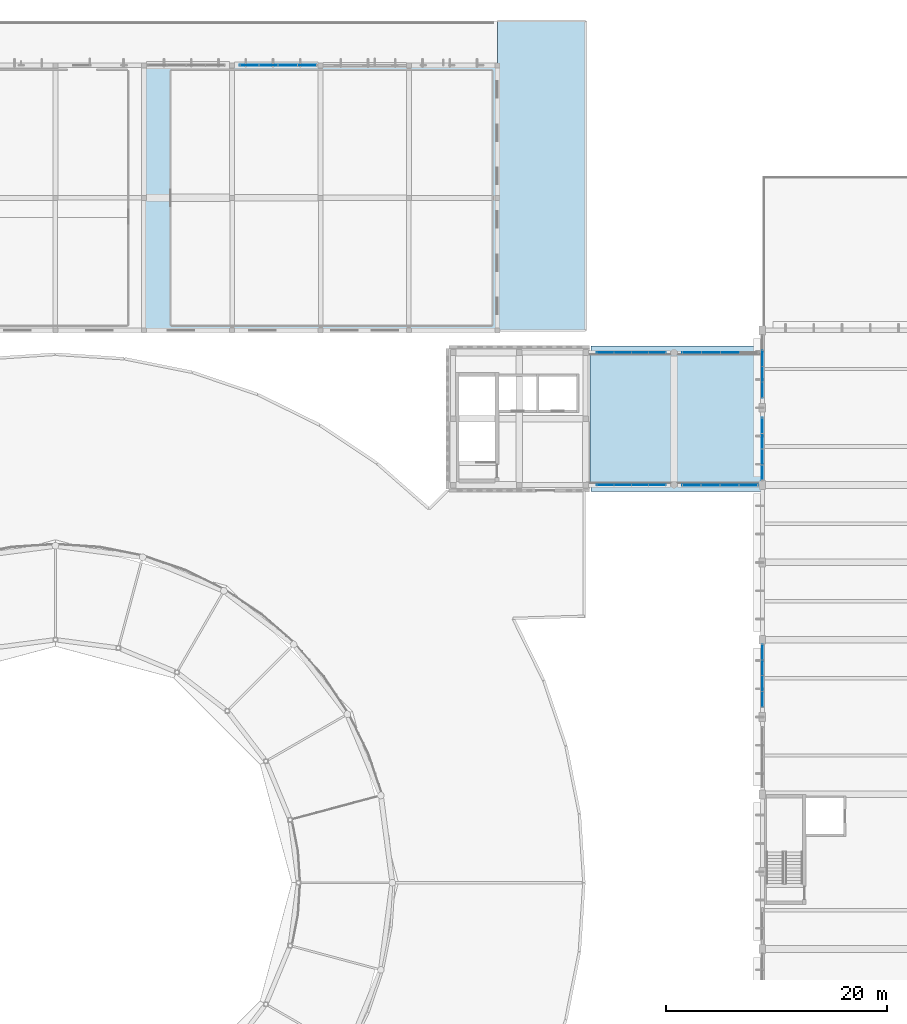
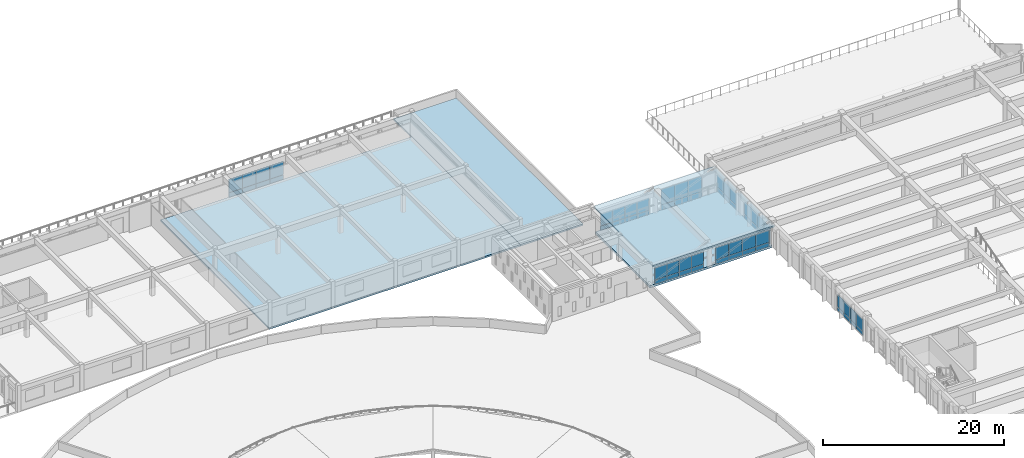
# One storey, part 48 of 77: 60 plates, 4 slabs, 8 elements without a shape of their own.
"""IFC4 building model written with IfcOpenShell, lengths in metres."""

from ifc_helpers import new_model, si_unit, direction, frame, origin, origin_2d, place, context, subcontext, project, spatial, polyline, rectangle, outline, extrude, material, layer, layer_set, type_object, element, aggregate, save


model = new_model("IFC4")

# Units and contexts
model_context = context("Model", 3, precision=1e-05, world=origin(), true_north=direction((0.0, 1.0)))
body_context = subcontext(model_context, "Body", "Model", "MODEL_VIEW")
ifc_project = project(units=[si_unit("LENGTHUNIT", "METRE"), si_unit("AREAUNIT", "SQUARE_METRE"), si_unit("VOLUMEUNIT", "CUBIC_METRE"), si_unit("PLANEANGLEUNIT", "RADIAN"), si_unit("MASSUNIT", "GRAM", prefix="KILO")], contexts=[model_context])

# Site, building, storey
site_placement = place(None, origin())
site = spatial("IfcSite", under=ifc_project, at=site_placement, CompositionType="ELEMENT")
building_placement = place(site_placement, origin())
building = spatial("IfcBuilding", under=site, at=building_placement, Name="Larkveld Mobility Hub", CompositionType="ELEMENT")
storey_placement = place(building_placement, frame((0.0, 0.0, 12.0)))
storey = spatial("IfcBuildingStorey", under=building, at=storey_placement, Name="L03", CompositionType="ELEMENT", Elevation=12.0)

# Curtain wall, plates
ifc_material_1 = material(Name="Anodised aluminium 6063-T6", Category="aluminium")
curtain_wall_type_1 = type_object("IfcCurtainWallType", Name="CW-SYS-07", PredefinedType="NOTDEFINED", material=ifc_material_1)
curtain_wall_1_placement = place(storey_placement, origin())
curtain_wall_1 = element("IfcCurtainWall", 1, at=curtain_wall_1_placement, inside=storey, type_object=curtain_wall_type_1, Name="Concourse Footbridge L03 North Glazing CW-007", PredefinedType="NOTDEFINED")
ifc_material_2 = material(Name="Low-E laminated solar-control double glazing", Category="glass")
ifc_layer_1 = layer(ifc_material_2, 0.028076171875, Name="Low-E laminated solar-control double glazing", Category="glass")
ifc_layer_set_1 = layer_set([ifc_layer_1], Name="Low-E laminated solar-control double glazing")
plate_type_1 = type_object("IfcPlateType", Name="CW-PNL-GL01", PredefinedType="CURTAIN_PANEL", material=ifc_layer_set_1)
plate_1_placement = place(storey_placement, frame((109.05810546875, 96.0, 0.7041015625), z_axis=(0.0, 0.0, 1.0), x_axis=(-1.0, 0.0, 0.0)))
plate_1 = element("IfcPlate", 2, at=plate_1_placement, type_object=plate_type_1, Name="CW07 panel 2", PredefinedType="CURTAIN_PANEL", context=body_context, shape_type="SweptSolid", body=[
    extrude(rectangle(XDim=1.718017578125, YDim=0.028076171875, at=origin_2d()), origin(), (0.0, 0.0, 1.0), 2.083984375),
])
plate_2_placement = place(storey_placement, frame((107.33203125, 96.0, 0.7041015625), z_axis=(0.0, 0.0, 1.0), x_axis=(-1.0, 0.0, 0.0)))
plate_2 = element("IfcPlate", 3, at=plate_2_placement, type_object=plate_type_1, Name="CW07 panel 3", PredefinedType="CURTAIN_PANEL", context=body_context, shape_type="SweptSolid", body=[
    extrude(rectangle(XDim=1.718017578125, YDim=0.028076171875, at=origin_2d()), origin(), (0.0, 0.0, 1.0), 2.083984375),
])
plate_3_placement = place(storey_placement, frame((105.614013671875, 96.0, 0.7041015625), z_axis=(0.0, 0.0, 1.0), x_axis=(-1.0, 0.0, 0.0)))
plate_3 = element("IfcPlate", 4, at=plate_3_placement, type_object=plate_type_1, Name="CW07 panel 4", PredefinedType="CURTAIN_PANEL", context=body_context, shape_type="SweptSolid", body=[
    extrude(rectangle(XDim=1.697998046875, YDim=0.028076171875, at=origin_2d()), origin(), (0.0, 0.0, 1.0), 2.083984375),
])

curtain_wall_type_2 = type_object("IfcCurtainWallType", Name="CW-SYS-01", PredefinedType="NOTDEFINED", material=ifc_material_1)
curtain_wall_2_placement = place(storey_placement, origin())
curtain_wall_2 = element("IfcCurtainWall", 5, at=curtain_wall_2_placement, inside=storey, type_object=curtain_wall_type_2, Name="EV Wing West Glazing L03 CW-145", PredefinedType="NOTDEFINED")
plate_4_placement = place(storey_placement, frame((112.0, 95.45703125, 0.552001953125), z_axis=(0.0, 0.0, 1.0), x_axis=(0.0, -1.0, 0.0)))
plate_4 = element("IfcPlate", 6, at=plate_4_placement, type_object=plate_type_1, Name="CW01 panel 2", PredefinedType="CURTAIN_PANEL", context=body_context, shape_type="SweptSolid", body=[
    extrude(rectangle(XDim=1.4130859375, YDim=0.028076171875, at=origin_2d()), origin(), (0.0, 0.0, 1.0), 1.6259765625),
])
plate_5_placement = place(storey_placement, frame((112.0, 94.033935546875, 0.552001953125), z_axis=(0.0, 0.0, 1.0), x_axis=(0.0, -1.0, 0.0)))
plate_5 = element("IfcPlate", 7, at=plate_5_placement, type_object=plate_type_1, Name="CW01 panel 3", PredefinedType="CURTAIN_PANEL", context=body_context, shape_type="SweptSolid", body=[
    extrude(rectangle(XDim=1.4130859375, YDim=0.028076171875, at=origin_2d()), origin(), (0.0, 0.0, 1.0), 1.6259765625),
])
plate_6_placement = place(storey_placement, frame((112.0, 92.62109375, 0.552001953125), z_axis=(0.0, 0.0, 1.0), x_axis=(0.0, -1.0, 0.0)))
plate_6 = element("IfcPlate", 8, at=plate_6_placement, type_object=plate_type_1, Name="CW01 panel 4", PredefinedType="CURTAIN_PANEL", context=body_context, shape_type="SweptSolid", body=[
    extrude(rectangle(XDim=1.39306640625, YDim=0.028076171875, at=origin_2d()), origin(), (0.0, 0.0, 1.0), 1.6259765625),
])

curtain_wall_type_3 = type_object("IfcCurtainWallType", Name="CW-SYS-05", PredefinedType="NOTDEFINED", material=ifc_material_1)
curtain_wall_3_placement = place(storey_placement, origin())
curtain_wall_3 = element("IfcCurtainWall", 9, at=curtain_wall_3_placement, inside=storey, type_object=curtain_wall_type_3, Name="Concourse Footbridge L03 South Glazing CW-005", PredefinedType="NOTDEFINED")
ifc_material_3 = material(Name="Acoustic solar-control laminated double glazing", Category="glass")
ifc_layer_2 = layer(ifc_material_3, 0.031982421875, Name="Acoustic solar-control laminated double glazing", Category="glass")
ifc_layer_set_2 = layer_set([ifc_layer_2], Name="Acoustic solar-control laminated double glazing")
plate_type_2 = type_object("IfcPlateType", Name="CW-PNL-GL02", PredefinedType="CURTAIN_PANEL", material=ifc_layer_set_2)
plate_7_placement = place(storey_placement, frame((97.7919921875, 84.0, 0.56103515625), z_axis=(0.0, 0.0, 1.0), x_axis=(1.0, 0.0, 0.0)))
plate_7 = element("IfcPlate", 10, at=plate_7_placement, type_object=plate_type_2, Name="CW05 panel 1", PredefinedType="CURTAIN_PANEL", context=body_context, shape_type="SweptSolid", body=[
    extrude(rectangle(XDim=1.534912109375, YDim=0.031982421875, at=origin_2d()), origin(), (0.0, 0.0, 1.0), 1.652099609375),
])
plate_8_placement = place(storey_placement, frame((99.346923828125, 84.0, 0.56103515625), z_axis=(0.0, 0.0, 1.0), x_axis=(1.0, 0.0, 0.0)))
plate_8 = element("IfcPlate", 11, at=plate_8_placement, type_object=plate_type_2, Name="CW05 panel 2", PredefinedType="CURTAIN_PANEL", context=body_context, shape_type="SweptSolid", body=[
    extrude(rectangle(XDim=1.554931640625, YDim=0.031982421875, at=origin_2d()), origin(), (0.0, 0.0, 1.0), 1.652099609375),
])
plate_9_placement = place(storey_placement, frame((100.912109375, 84.0, 0.56103515625), z_axis=(0.0, 0.0, 1.0), x_axis=(1.0, 0.0, 0.0)))
plate_9 = element("IfcPlate", 12, at=plate_9_placement, type_object=plate_type_2, Name="CW05 panel 3", PredefinedType="CURTAIN_PANEL", context=body_context, shape_type="SweptSolid", body=[
    extrude(rectangle(XDim=1.554931640625, YDim=0.031982421875, at=origin_2d()), origin(), (0.0, 0.0, 1.0), 1.652099609375),
])
plate_10_placement = place(storey_placement, frame((102.468017578125, 84.0, 0.56103515625), z_axis=(0.0, 0.0, 1.0), x_axis=(1.0, 0.0, 0.0)))
plate_10 = element("IfcPlate", 13, at=plate_10_placement, type_object=plate_type_2, Name="CW05 panel 4", PredefinedType="CURTAIN_PANEL", context=body_context, shape_type="SweptSolid", body=[
    extrude(rectangle(XDim=1.534912109375, YDim=0.031982421875, at=origin_2d()), origin(), (0.0, 0.0, 1.0), 1.652099609375),
])

curtain_wall_type_4 = type_object("IfcCurtainWallType", Name="CW-SYS-08", PredefinedType="NOTDEFINED", material=ifc_material_1)
curtain_wall_4_placement = place(storey_placement, origin())
curtain_wall_4 = element("IfcCurtainWall", 14, at=curtain_wall_4_placement, inside=storey, type_object=curtain_wall_type_4, Name="Concourse Footbridge L03 North Glazing CW-008", PredefinedType="NOTDEFINED")
plate_11_placement = place(storey_placement, frame((102.468017578125, 96.0, 0.56103515625), z_axis=(0.0, 0.0, 1.0), x_axis=(-1.0, 0.0, 0.0)))
plate_11 = element("IfcPlate", 15, at=plate_11_placement, type_object=plate_type_2, Name="CW08 panel 1", PredefinedType="CURTAIN_PANEL", context=body_context, shape_type="SweptSolid", body=[
    extrude(rectangle(XDim=1.534912109375, YDim=0.031982421875, at=origin_2d()), origin(), (0.0, 0.0, 1.0), 1.652099609375),
])
plate_12_placement = place(storey_placement, frame((100.912109375, 96.0, 0.56103515625), z_axis=(0.0, 0.0, 1.0), x_axis=(-1.0, 0.0, 0.0)))
plate_12 = element("IfcPlate", 16, at=plate_12_placement, type_object=plate_type_2, Name="CW08 panel 2", PredefinedType="CURTAIN_PANEL", context=body_context, shape_type="SweptSolid", body=[
    extrude(rectangle(XDim=1.554931640625, YDim=0.031982421875, at=origin_2d()), origin(), (0.0, 0.0, 1.0), 1.652099609375),
])
plate_13_placement = place(storey_placement, frame((99.346923828125, 96.0, 0.56103515625), z_axis=(0.0, 0.0, 1.0), x_axis=(-1.0, 0.0, 0.0)))
plate_13 = element("IfcPlate", 17, at=plate_13_placement, type_object=plate_type_2, Name="CW08 panel 3", PredefinedType="CURTAIN_PANEL", context=body_context, shape_type="SweptSolid", body=[
    extrude(rectangle(XDim=1.554931640625, YDim=0.031982421875, at=origin_2d()), origin(), (0.0, 0.0, 1.0), 1.652099609375),
])
plate_14_placement = place(storey_placement, frame((97.7919921875, 96.0, 0.56103515625), z_axis=(0.0, 0.0, 1.0), x_axis=(-1.0, 0.0, 0.0)))
plate_14 = element("IfcPlate", 18, at=plate_14_placement, type_object=plate_type_2, Name="CW08 panel 4", PredefinedType="CURTAIN_PANEL", context=body_context, shape_type="SweptSolid", body=[
    extrude(rectangle(XDim=1.534912109375, YDim=0.031982421875, at=origin_2d()), origin(), (0.0, 0.0, 1.0), 1.652099609375),
])

curtain_wall_5_placement = place(storey_placement, origin())
curtain_wall_5 = element("IfcCurtainWall", 19, at=curtain_wall_5_placement, inside=storey, type_object=curtain_wall_type_3, Name="Bicycle Hall North Curtain Wall L03 CW-089", PredefinedType="NOTDEFINED")
plate_15_placement = place(storey_placement, frame((70.76708984375, 122.0, 0.614013671875), z_axis=(0.0, 0.0, 1.0), x_axis=(-1.0, 0.0, 0.0)))
plate_15 = element("IfcPlate", 20, at=plate_15_placement, type_object=plate_type_2, Name="CW05 panel 1", PredefinedType="CURTAIN_PANEL", context=body_context, shape_type="SweptSolid", body=[
    extrude(rectangle(XDim=1.716064453125, YDim=0.031982421875, at=origin_2d()), origin(), (0.0, 0.0, 1.0), 1.81396484375),
])
plate_16_placement = place(storey_placement, frame((69.030029296875, 122.0, 0.614013671875), z_axis=(0.0, 0.0, 1.0), x_axis=(-1.0, 0.0, 0.0)))
plate_16 = element("IfcPlate", 21, at=plate_16_placement, type_object=plate_type_2, Name="CW05 panel 2", PredefinedType="CURTAIN_PANEL", context=body_context, shape_type="SweptSolid", body=[
    extrude(rectangle(XDim=1.736083984375, YDim=0.031982421875, at=origin_2d()), origin(), (0.0, 0.0, 1.0), 1.81396484375),
])
plate_17_placement = place(storey_placement, frame((67.283935546875, 122.0, 0.614013671875), z_axis=(0.0, 0.0, 1.0), x_axis=(-1.0, 0.0, 0.0)))
plate_17 = element("IfcPlate", 22, at=plate_17_placement, type_object=plate_type_2, Name="CW05 panel 3", PredefinedType="CURTAIN_PANEL", context=body_context, shape_type="SweptSolid", body=[
    extrude(rectangle(XDim=1.736083984375, YDim=0.031982421875, at=origin_2d()), origin(), (0.0, 0.0, 1.0), 1.81396484375),
])
plate_18_placement = place(storey_placement, frame((65.548095703125, 122.0, 0.614013671875), z_axis=(0.0, 0.0, 1.0), x_axis=(-1.0, 0.0, 0.0)))
plate_18 = element("IfcPlate", 23, at=plate_18_placement, type_object=plate_type_2, Name="CW05 panel 4", PredefinedType="CURTAIN_PANEL", context=body_context, shape_type="SweptSolid", body=[
    extrude(rectangle(XDim=1.716064453125, YDim=0.031982421875, at=origin_2d()), origin(), (0.0, 0.0, 1.0), 1.81396484375),
])

curtain_wall_type_5 = type_object("IfcCurtainWallType", Name="CW-SYS-11", PredefinedType="NOTDEFINED", material=ifc_material_1)
curtain_wall_6_placement = place(storey_placement, origin())
curtain_wall_6 = element("IfcCurtainWall", 24, at=curtain_wall_6_placement, inside=storey, type_object=curtain_wall_type_5, Name="EV Wing West Glazing L03 CW-143", PredefinedType="NOTDEFINED")
plate_19_placement = place(storey_placement, frame((112.0, 68.868896484375, 0.552001953125), z_axis=(0.0, 0.0, 1.0), x_axis=(0.0, -1.0, 0.0)))
plate_19 = element("IfcPlate", 25, at=plate_19_placement, type_object=plate_type_2, Name="CW11 panel 1", PredefinedType="CURTAIN_PANEL", context=body_context, shape_type="SweptSolid", body=[
    extrude(rectangle(XDim=1.39208984375, YDim=0.031982421875, at=origin_2d()), origin(), (0.0, 0.0, 1.0), 1.6259765625),
])
plate_20_placement = place(storey_placement, frame((112.0, 67.45703125, 0.552001953125), z_axis=(0.0, 0.0, 1.0), x_axis=(0.0, -1.0, 0.0)))
plate_20 = element("IfcPlate", 26, at=plate_20_placement, type_object=plate_type_2, Name="CW11 panel 2", PredefinedType="CURTAIN_PANEL", context=body_context, shape_type="SweptSolid", body=[
    extrude(rectangle(XDim=1.412109375, YDim=0.031982421875, at=origin_2d()), origin(), (0.0, 0.0, 1.0), 1.6259765625),
])
plate_21_placement = place(storey_placement, frame((112.0, 66.033935546875, 0.552001953125), z_axis=(0.0, 0.0, 1.0), x_axis=(0.0, -1.0, 0.0)))
plate_21 = element("IfcPlate", 27, at=plate_21_placement, type_object=plate_type_2, Name="CW11 panel 3", PredefinedType="CURTAIN_PANEL", context=body_context, shape_type="SweptSolid", body=[
    extrude(rectangle(XDim=1.412109375, YDim=0.031982421875, at=origin_2d()), origin(), (0.0, 0.0, 1.0), 1.6259765625),
])
plate_22_placement = place(storey_placement, frame((112.0, 64.62109375, 0.552001953125), z_axis=(0.0, 0.0, 1.0), x_axis=(0.0, -1.0, 0.0)))
plate_22 = element("IfcPlate", 28, at=plate_22_placement, type_object=plate_type_2, Name="CW11 panel 4", PredefinedType="CURTAIN_PANEL", context=body_context, shape_type="SweptSolid", body=[
    extrude(rectangle(XDim=1.39208984375, YDim=0.031982421875, at=origin_2d()), origin(), (0.0, 0.0, 1.0), 1.6259765625),
])

curtain_wall_type_6 = type_object("IfcCurtainWallType", Name="CW-SYS-02", PredefinedType="NOTDEFINED", material=ifc_material_1)
curtain_wall_7_placement = place(storey_placement, origin())
curtain_wall_7 = element("IfcCurtainWall", 29, at=curtain_wall_7_placement, inside=storey, type_object=curtain_wall_type_6, Name="EV Wing West Glazing L03 CW-146", PredefinedType="NOTDEFINED")
plate_23_placement = place(storey_placement, frame((112.0, 89.37890625, 0.552001953125), z_axis=(0.0, 0.0, 1.0), x_axis=(0.0, -1.0, 0.0)))
plate_23 = element("IfcPlate", 30, at=plate_23_placement, type_object=plate_type_2, Name="CW02 panel 1", PredefinedType="CURTAIN_PANEL", context=body_context, shape_type="SweptSolid", body=[
    extrude(rectangle(XDim=1.39306640625, YDim=0.031982421875, at=origin_2d()), origin(), (0.0, 0.0, 1.0), 1.6259765625),
])
plate_24_placement = place(storey_placement, frame((112.0, 87.966064453125, 0.552001953125), z_axis=(0.0, 0.0, 1.0), x_axis=(0.0, -1.0, 0.0)))
plate_24 = element("IfcPlate", 31, at=plate_24_placement, type_object=plate_type_2, Name="CW02 panel 2", PredefinedType="CURTAIN_PANEL", context=body_context, shape_type="SweptSolid", body=[
    extrude(rectangle(XDim=1.4130859375, YDim=0.031982421875, at=origin_2d()), origin(), (0.0, 0.0, 1.0), 1.6259765625),
])
plate_25_placement = place(storey_placement, frame((112.0, 86.54296875, 0.552001953125), z_axis=(0.0, 0.0, 1.0), x_axis=(0.0, -1.0, 0.0)))
plate_25 = element("IfcPlate", 32, at=plate_25_placement, type_object=plate_type_2, Name="CW02 panel 3", PredefinedType="CURTAIN_PANEL", context=body_context, shape_type="SweptSolid", body=[
    extrude(rectangle(XDim=1.4130859375, YDim=0.031982421875, at=origin_2d()), origin(), (0.0, 0.0, 1.0), 1.6259765625),
])
plate_26_placement = place(storey_placement, frame((112.0, 85.131103515625, 0.552001953125), z_axis=(0.0, 0.0, 1.0), x_axis=(0.0, -1.0, 0.0)))
plate_26 = element("IfcPlate", 33, at=plate_26_placement, type_object=plate_type_2, Name="CW02 panel 4", PredefinedType="CURTAIN_PANEL", context=body_context, shape_type="SweptSolid", body=[
    extrude(rectangle(XDim=1.39306640625, YDim=0.031982421875, at=origin_2d()), origin(), (0.0, 0.0, 1.0), 1.6259765625),
])

curtain_wall_type_7 = type_object("IfcCurtainWallType", Name="CW-SYS-06", PredefinedType="NOTDEFINED", material=ifc_material_1)
curtain_wall_8_placement = place(storey_placement, origin())
curtain_wall_8 = element("IfcCurtainWall", 34, at=curtain_wall_8_placement, inside=storey, type_object=curtain_wall_type_7, Name="Concourse Footbridge L03 South Glazing CW-006", PredefinedType="NOTDEFINED")
ifc_material_4 = material(Name="Tinted safety double glazing", Category="glass")
ifc_layer_3 = layer(ifc_material_4, 0.035888671875, Name="Tinted safety double glazing", Category="glass")
ifc_layer_set_3 = layer_set([ifc_layer_3], Name="Tinted safety double glazing")
plate_type_3 = type_object("IfcPlateType", Name="CW-PNL-GL03", PredefinedType="CURTAIN_PANEL", material=ifc_layer_set_3)
plate_27_placement = place(storey_placement, frame((105.60693359375, 84.0, 0.56103515625), z_axis=(0.0, 0.0, 1.0), x_axis=(1.0, 0.0, 0.0)))
plate_27 = element("IfcPlate", 35, at=plate_27_placement, type_object=plate_type_3, Name="CW06 panel 1", PredefinedType="CURTAIN_PANEL", context=body_context, shape_type="SweptSolid", body=[
    extrude(rectangle(XDim=1.68310546875, YDim=0.035888671875, at=origin_2d()), origin(), (0.0, 0.0, 1.0), 1.652099609375),
])
plate_28_placement = place(storey_placement, frame((107.30908203125, 84.0, 0.56103515625), z_axis=(0.0, 0.0, 1.0), x_axis=(1.0, 0.0, 0.0)))
plate_28 = element("IfcPlate", 36, at=plate_28_placement, type_object=plate_type_3, Name="CW06 panel 2", PredefinedType="CURTAIN_PANEL", context=body_context, shape_type="SweptSolid", body=[
    extrude(rectangle(XDim=1.701904296875, YDim=0.035888671875, at=origin_2d()), origin(), (0.0, 0.0, 1.0), 1.652099609375),
])
plate_29_placement = place(storey_placement, frame((109.02099609375, 84.0, 0.56103515625), z_axis=(0.0, 0.0, 1.0), x_axis=(1.0, 0.0, 0.0)))
plate_29 = element("IfcPlate", 37, at=plate_29_placement, type_object=plate_type_3, Name="CW06 panel 3", PredefinedType="CURTAIN_PANEL", context=body_context, shape_type="SweptSolid", body=[
    extrude(rectangle(XDim=1.701904296875, YDim=0.035888671875, at=origin_2d()), origin(), (0.0, 0.0, 1.0), 1.652099609375),
])
plate_30_placement = place(storey_placement, frame((110.72412109375, 84.0, 0.56103515625), z_axis=(0.0, 0.0, 1.0), x_axis=(1.0, 0.0, 0.0)))
plate_30 = element("IfcPlate", 38, at=plate_30_placement, type_object=plate_type_3, Name="CW06 panel 4", PredefinedType="CURTAIN_PANEL", context=body_context, shape_type="SweptSolid", body=[
    extrude(rectangle(XDim=1.68310546875, YDim=0.035888671875, at=origin_2d()), origin(), (0.0, 0.0, 1.0), 1.652099609375),
])

# Plate
ifc_material_5 = material(Name="Insulated fluoropolymer aluminium spandrel", Category="aluminium")
ifc_layer_4 = layer(ifc_material_5, 0.06494140625, Name="Insulated fluoropolymer aluminium spandrel", Category="aluminium")
ifc_layer_set_4 = layer_set([ifc_layer_4], Name="Insulated fluoropolymer aluminium spandrel")
plate_type_4 = type_object("IfcPlateType", Name="CW-PNL-SP01", PredefinedType="CURTAIN_PANEL", material=ifc_layer_set_4)
plate_31_placement = place(storey_placement, frame((97.7919921875, 84.0, -0.00048828125), z_axis=(0.0, 0.0, 1.0), x_axis=(1.0, 0.0, 0.0)))
plate_31 = element("IfcPlate", 39, at=plate_31_placement, type_object=plate_type_4, Name="CW05 spandrel 1", PredefinedType="CURTAIN_PANEL", context=body_context, shape_type="SweptSolid", body=[
    extrude(rectangle(XDim=1.534912109375, YDim=0.06494140625, at=origin_2d()), origin(), (0.0, 0.0, 1.0), 0.549072265625),
])

plate_32_placement = place(storey_placement, frame((99.346923828125, 84.0, -0.00048828125), z_axis=(0.0, 0.0, 1.0), x_axis=(1.0, 0.0, 0.0)))
plate_32 = element("IfcPlate", 40, at=plate_32_placement, type_object=plate_type_4, Name="CW05 spandrel 2", PredefinedType="CURTAIN_PANEL", context=body_context, shape_type="SweptSolid", body=[
    extrude(rectangle(XDim=1.554931640625, YDim=0.06494140625, at=origin_2d()), origin(), (0.0, 0.0, 1.0), 0.549072265625),
])

plate_33_placement = place(storey_placement, frame((100.912109375, 84.0, -0.00048828125), z_axis=(0.0, 0.0, 1.0), x_axis=(1.0, 0.0, 0.0)))
plate_33 = element("IfcPlate", 41, at=plate_33_placement, type_object=plate_type_4, Name="CW05 spandrel 3", PredefinedType="CURTAIN_PANEL", context=body_context, shape_type="SweptSolid", body=[
    extrude(rectangle(XDim=1.554931640625, YDim=0.06494140625, at=origin_2d()), origin(), (0.0, 0.0, 1.0), 0.549072265625),
])

plate_34_placement = place(storey_placement, frame((102.468017578125, 84.0, -0.00048828125), z_axis=(0.0, 0.0, 1.0), x_axis=(1.0, 0.0, 0.0)))
plate_34 = element("IfcPlate", 42, at=plate_34_placement, type_object=plate_type_4, Name="CW05 spandrel 4", PredefinedType="CURTAIN_PANEL", context=body_context, shape_type="SweptSolid", body=[
    extrude(rectangle(XDim=1.534912109375, YDim=0.06494140625, at=origin_2d()), origin(), (0.0, 0.0, 1.0), 0.549072265625),
])

aggregate(curtain_wall_3, [plate_31, plate_7, plate_32, plate_8, plate_33, plate_9, plate_34, plate_10])

plate_35_placement = place(storey_placement, frame((109.05810546875, 96.0, -0.00048828125), z_axis=(0.0, 0.0, 1.0), x_axis=(-1.0, 0.0, 0.0)))
plate_35 = element("IfcPlate", 43, at=plate_35_placement, type_object=plate_type_4, Name="CW07 spandrel 2", PredefinedType="CURTAIN_PANEL", context=body_context, shape_type="SweptSolid", body=[
    extrude(rectangle(XDim=1.718017578125, YDim=0.06494140625, at=origin_2d()), origin(), (0.0, 0.0, 1.0), 0.693115234375),
])

plate_36_placement = place(storey_placement, frame((107.33203125, 96.0, -0.00048828125), z_axis=(0.0, 0.0, 1.0), x_axis=(-1.0, 0.0, 0.0)))
plate_36 = element("IfcPlate", 44, at=plate_36_placement, type_object=plate_type_4, Name="CW07 spandrel 3", PredefinedType="CURTAIN_PANEL", context=body_context, shape_type="SweptSolid", body=[
    extrude(rectangle(XDim=1.718017578125, YDim=0.06494140625, at=origin_2d()), origin(), (0.0, 0.0, 1.0), 0.693115234375),
])

plate_37_placement = place(storey_placement, frame((105.614013671875, 96.0, -0.00048828125), z_axis=(0.0, 0.0, 1.0), x_axis=(-1.0, 0.0, 0.0)))
plate_37 = element("IfcPlate", 45, at=plate_37_placement, type_object=plate_type_4, Name="CW07 spandrel 4", PredefinedType="CURTAIN_PANEL", context=body_context, shape_type="SweptSolid", body=[
    extrude(rectangle(XDim=1.697998046875, YDim=0.06494140625, at=origin_2d()), origin(), (0.0, 0.0, 1.0), 0.693115234375),
])

aggregate(curtain_wall_1, [plate_35, plate_1, plate_36, plate_2, plate_37, plate_3])

plate_38_placement = place(storey_placement, frame((70.76708984375, 122.0, -0.00048828125), z_axis=(0.0, 0.0, 1.0), x_axis=(-1.0, 0.0, 0.0)))
plate_38 = element("IfcPlate", 46, at=plate_38_placement, type_object=plate_type_4, Name="CW05 spandrel 1", PredefinedType="CURTAIN_PANEL", context=body_context, shape_type="SweptSolid", body=[
    extrude(rectangle(XDim=1.716064453125, YDim=0.06494140625, at=origin_2d()), origin(), (0.0, 0.0, 1.0), 0.60302734375),
])

plate_39_placement = place(storey_placement, frame((69.030029296875, 122.0, -0.00048828125), z_axis=(0.0, 0.0, 1.0), x_axis=(-1.0, 0.0, 0.0)))
plate_39 = element("IfcPlate", 47, at=plate_39_placement, type_object=plate_type_4, Name="CW05 spandrel 2", PredefinedType="CURTAIN_PANEL", context=body_context, shape_type="SweptSolid", body=[
    extrude(rectangle(XDim=1.736083984375, YDim=0.06494140625, at=origin_2d()), origin(), (0.0, 0.0, 1.0), 0.60302734375),
])

plate_40_placement = place(storey_placement, frame((67.283935546875, 122.0, -0.00048828125), z_axis=(0.0, 0.0, 1.0), x_axis=(-1.0, 0.0, 0.0)))
plate_40 = element("IfcPlate", 48, at=plate_40_placement, type_object=plate_type_4, Name="CW05 spandrel 3", PredefinedType="CURTAIN_PANEL", context=body_context, shape_type="SweptSolid", body=[
    extrude(rectangle(XDim=1.736083984375, YDim=0.06494140625, at=origin_2d()), origin(), (0.0, 0.0, 1.0), 0.60302734375),
])

plate_41_placement = place(storey_placement, frame((65.548095703125, 122.0, -0.00048828125), z_axis=(0.0, 0.0, 1.0), x_axis=(-1.0, 0.0, 0.0)))
plate_41 = element("IfcPlate", 49, at=plate_41_placement, type_object=plate_type_4, Name="CW05 spandrel 4", PredefinedType="CURTAIN_PANEL", context=body_context, shape_type="SweptSolid", body=[
    extrude(rectangle(XDim=1.716064453125, YDim=0.06494140625, at=origin_2d()), origin(), (0.0, 0.0, 1.0), 0.60302734375),
])

aggregate(curtain_wall_5, [plate_38, plate_15, plate_39, plate_16, plate_40, plate_17, plate_41, plate_18])

plate_42_placement = place(storey_placement, frame((112.0, 68.868896484375, 0.0), z_axis=(0.0, 0.0, 1.0), x_axis=(0.0, -1.0, 0.0)))
plate_42 = element("IfcPlate", 50, at=plate_42_placement, type_object=plate_type_4, Name="CW11 spandrel 1", PredefinedType="CURTAIN_PANEL", context=body_context, shape_type="SweptSolid", body=[
    extrude(rectangle(XDim=1.39208984375, YDim=0.06494140625, at=origin_2d()), origin(), (0.0, 0.0, 1.0), 0.5400390625),
])

plate_43_placement = place(storey_placement, frame((112.0, 67.45703125, 0.0), z_axis=(0.0, 0.0, 1.0), x_axis=(0.0, -1.0, 0.0)))
plate_43 = element("IfcPlate", 51, at=plate_43_placement, type_object=plate_type_4, Name="CW11 spandrel 2", PredefinedType="CURTAIN_PANEL", context=body_context, shape_type="SweptSolid", body=[
    extrude(rectangle(XDim=1.412109375, YDim=0.06494140625, at=origin_2d()), origin(), (0.0, 0.0, 1.0), 0.5400390625),
])

plate_44_placement = place(storey_placement, frame((112.0, 66.033935546875, 0.0), z_axis=(0.0, 0.0, 1.0), x_axis=(0.0, -1.0, 0.0)))
plate_44 = element("IfcPlate", 52, at=plate_44_placement, type_object=plate_type_4, Name="CW11 spandrel 3", PredefinedType="CURTAIN_PANEL", context=body_context, shape_type="SweptSolid", body=[
    extrude(rectangle(XDim=1.412109375, YDim=0.06494140625, at=origin_2d()), origin(), (0.0, 0.0, 1.0), 0.5400390625),
])

plate_45_placement = place(storey_placement, frame((112.0, 64.62109375, 0.0), z_axis=(0.0, 0.0, 1.0), x_axis=(0.0, -1.0, 0.0)))
plate_45 = element("IfcPlate", 53, at=plate_45_placement, type_object=plate_type_4, Name="CW11 spandrel 4", PredefinedType="CURTAIN_PANEL", context=body_context, shape_type="SweptSolid", body=[
    extrude(rectangle(XDim=1.39208984375, YDim=0.06494140625, at=origin_2d()), origin(), (0.0, 0.0, 1.0), 0.5400390625),
])

aggregate(curtain_wall_6, [plate_42, plate_19, plate_43, plate_20, plate_44, plate_21, plate_45, plate_22])

plate_46_placement = place(storey_placement, frame((112.0, 95.45703125, 0.0), z_axis=(0.0, 0.0, 1.0), x_axis=(0.0, -1.0, 0.0)))
plate_46 = element("IfcPlate", 54, at=plate_46_placement, type_object=plate_type_4, Name="CW01 spandrel 2", PredefinedType="CURTAIN_PANEL", context=body_context, shape_type="SweptSolid", body=[
    extrude(rectangle(XDim=1.4130859375, YDim=0.06494140625, at=origin_2d()), origin(), (0.0, 0.0, 1.0), 0.5400390625),
])

plate_47_placement = place(storey_placement, frame((112.0, 94.033935546875, 0.0), z_axis=(0.0, 0.0, 1.0), x_axis=(0.0, -1.0, 0.0)))
plate_47 = element("IfcPlate", 55, at=plate_47_placement, type_object=plate_type_4, Name="CW01 spandrel 3", PredefinedType="CURTAIN_PANEL", context=body_context, shape_type="SweptSolid", body=[
    extrude(rectangle(XDim=1.4130859375, YDim=0.06494140625, at=origin_2d()), origin(), (0.0, 0.0, 1.0), 0.5400390625),
])

plate_48_placement = place(storey_placement, frame((112.0, 92.62109375, 0.0), z_axis=(0.0, 0.0, 1.0), x_axis=(0.0, -1.0, 0.0)))
plate_48 = element("IfcPlate", 56, at=plate_48_placement, type_object=plate_type_4, Name="CW01 spandrel 4", PredefinedType="CURTAIN_PANEL", context=body_context, shape_type="SweptSolid", body=[
    extrude(rectangle(XDim=1.39306640625, YDim=0.06494140625, at=origin_2d()), origin(), (0.0, 0.0, 1.0), 0.5400390625),
])

aggregate(curtain_wall_2, [plate_46, plate_4, plate_47, plate_5, plate_48, plate_6])

ifc_material_6 = material(Name="Insulated terracotta-toned aluminium spandrel", Category="masonry")
ifc_layer_5 = layer(ifc_material_6, 0.080078125, Name="Insulated terracotta-toned aluminium spandrel", Category="masonry")
ifc_layer_set_5 = layer_set([ifc_layer_5], Name="Insulated terracotta-toned aluminium spandrel")
plate_type_5 = type_object("IfcPlateType", Name="CW-PNL-SP02", PredefinedType="CURTAIN_PANEL", material=ifc_layer_set_5)
plate_49_placement = place(storey_placement, frame((105.60693359375, 84.0, -0.00048828125), z_axis=(0.0, 0.0, 1.0), x_axis=(1.0, 0.0, 0.0)))
plate_49 = element("IfcPlate", 57, at=plate_49_placement, type_object=plate_type_5, Name="CW06 spandrel 1", PredefinedType="CURTAIN_PANEL", context=body_context, shape_type="SweptSolid", body=[
    extrude(rectangle(XDim=1.68310546875, YDim=0.080078125, at=origin_2d()), origin(), (0.0, 0.0, 1.0), 0.549072265625),
])

plate_50_placement = place(storey_placement, frame((107.30908203125, 84.0, -0.00048828125), z_axis=(0.0, 0.0, 1.0), x_axis=(1.0, 0.0, 0.0)))
plate_50 = element("IfcPlate", 58, at=plate_50_placement, type_object=plate_type_5, Name="CW06 spandrel 2", PredefinedType="CURTAIN_PANEL", context=body_context, shape_type="SweptSolid", body=[
    extrude(rectangle(XDim=1.701904296875, YDim=0.080078125, at=origin_2d()), origin(), (0.0, 0.0, 1.0), 0.549072265625),
])

plate_51_placement = place(storey_placement, frame((109.02099609375, 84.0, -0.00048828125), z_axis=(0.0, 0.0, 1.0), x_axis=(1.0, 0.0, 0.0)))
plate_51 = element("IfcPlate", 59, at=plate_51_placement, type_object=plate_type_5, Name="CW06 spandrel 3", PredefinedType="CURTAIN_PANEL", context=body_context, shape_type="SweptSolid", body=[
    extrude(rectangle(XDim=1.701904296875, YDim=0.080078125, at=origin_2d()), origin(), (0.0, 0.0, 1.0), 0.549072265625),
])

plate_52_placement = place(storey_placement, frame((110.72412109375, 84.0, -0.00048828125), z_axis=(0.0, 0.0, 1.0), x_axis=(1.0, 0.0, 0.0)))
plate_52 = element("IfcPlate", 60, at=plate_52_placement, type_object=plate_type_5, Name="CW06 spandrel 4", PredefinedType="CURTAIN_PANEL", context=body_context, shape_type="SweptSolid", body=[
    extrude(rectangle(XDim=1.68310546875, YDim=0.080078125, at=origin_2d()), origin(), (0.0, 0.0, 1.0), 0.549072265625),
])

aggregate(curtain_wall_8, [plate_49, plate_27, plate_50, plate_28, plate_51, plate_29, plate_52, plate_30])

plate_53_placement = place(storey_placement, frame((102.468017578125, 96.0, -0.00048828125), z_axis=(0.0, 0.0, 1.0), x_axis=(-1.0, 0.0, 0.0)))
plate_53 = element("IfcPlate", 61, at=plate_53_placement, type_object=plate_type_5, Name="CW08 spandrel 1", PredefinedType="CURTAIN_PANEL", context=body_context, shape_type="SweptSolid", body=[
    extrude(rectangle(XDim=1.534912109375, YDim=0.080078125, at=origin_2d()), origin(), (0.0, 0.0, 1.0), 0.549072265625),
])

plate_54_placement = place(storey_placement, frame((100.912109375, 96.0, -0.00048828125), z_axis=(0.0, 0.0, 1.0), x_axis=(-1.0, 0.0, 0.0)))
plate_54 = element("IfcPlate", 62, at=plate_54_placement, type_object=plate_type_5, Name="CW08 spandrel 2", PredefinedType="CURTAIN_PANEL", context=body_context, shape_type="SweptSolid", body=[
    extrude(rectangle(XDim=1.554931640625, YDim=0.080078125, at=origin_2d()), origin(), (0.0, 0.0, 1.0), 0.549072265625),
])

plate_55_placement = place(storey_placement, frame((99.346923828125, 96.0, -0.00048828125), z_axis=(0.0, 0.0, 1.0), x_axis=(-1.0, 0.0, 0.0)))
plate_55 = element("IfcPlate", 63, at=plate_55_placement, type_object=plate_type_5, Name="CW08 spandrel 3", PredefinedType="CURTAIN_PANEL", context=body_context, shape_type="SweptSolid", body=[
    extrude(rectangle(XDim=1.554931640625, YDim=0.080078125, at=origin_2d()), origin(), (0.0, 0.0, 1.0), 0.549072265625),
])

plate_56_placement = place(storey_placement, frame((97.7919921875, 96.0, -0.00048828125), z_axis=(0.0, 0.0, 1.0), x_axis=(-1.0, 0.0, 0.0)))
plate_56 = element("IfcPlate", 64, at=plate_56_placement, type_object=plate_type_5, Name="CW08 spandrel 4", PredefinedType="CURTAIN_PANEL", context=body_context, shape_type="SweptSolid", body=[
    extrude(rectangle(XDim=1.534912109375, YDim=0.080078125, at=origin_2d()), origin(), (0.0, 0.0, 1.0), 0.549072265625),
])

aggregate(curtain_wall_4, [plate_53, plate_11, plate_54, plate_12, plate_55, plate_13, plate_56, plate_14])

plate_57_placement = place(storey_placement, frame((112.0, 89.37890625, 0.0), z_axis=(0.0, 0.0, 1.0), x_axis=(0.0, -1.0, 0.0)))
plate_57 = element("IfcPlate", 65, at=plate_57_placement, type_object=plate_type_5, Name="CW02 spandrel 1", PredefinedType="CURTAIN_PANEL", context=body_context, shape_type="SweptSolid", body=[
    extrude(rectangle(XDim=1.39306640625, YDim=0.080078125, at=origin_2d()), origin(), (0.0, 0.0, 1.0), 0.5400390625),
])

plate_58_placement = place(storey_placement, frame((112.0, 87.966064453125, 0.0), z_axis=(0.0, 0.0, 1.0), x_axis=(0.0, -1.0, 0.0)))
plate_58 = element("IfcPlate", 66, at=plate_58_placement, type_object=plate_type_5, Name="CW02 spandrel 2", PredefinedType="CURTAIN_PANEL", context=body_context, shape_type="SweptSolid", body=[
    extrude(rectangle(XDim=1.4130859375, YDim=0.080078125, at=origin_2d()), origin(), (0.0, 0.0, 1.0), 0.5400390625),
])

plate_59_placement = place(storey_placement, frame((112.0, 86.54296875, 0.0), z_axis=(0.0, 0.0, 1.0), x_axis=(0.0, -1.0, 0.0)))
plate_59 = element("IfcPlate", 67, at=plate_59_placement, type_object=plate_type_5, Name="CW02 spandrel 3", PredefinedType="CURTAIN_PANEL", context=body_context, shape_type="SweptSolid", body=[
    extrude(rectangle(XDim=1.4130859375, YDim=0.080078125, at=origin_2d()), origin(), (0.0, 0.0, 1.0), 0.5400390625),
])

plate_60_placement = place(storey_placement, frame((112.0, 85.131103515625, 0.0), z_axis=(0.0, 0.0, 1.0), x_axis=(0.0, -1.0, 0.0)))
plate_60 = element("IfcPlate", 68, at=plate_60_placement, type_object=plate_type_5, Name="CW02 spandrel 4", PredefinedType="CURTAIN_PANEL", context=body_context, shape_type="SweptSolid", body=[
    extrude(rectangle(XDim=1.39306640625, YDim=0.080078125, at=origin_2d()), origin(), (0.0, 0.0, 1.0), 0.5400390625),
])

aggregate(curtain_wall_7, [plate_57, plate_23, plate_58, plate_24, plate_59, plate_25, plate_60, plate_26])

# Slabs
ifc_material_7 = material(Name="Concrete C40/50", Category="concrete")
ifc_layer_6 = layer(ifc_material_7, 0.300048828125, Name="Concrete C40/50", Category="concrete")
ifc_layer_set_6 = layer_set([ifc_layer_6], Name="Concrete C40/50")
slab_type_1 = type_object("IfcSlabType", Name="SL-BRG-300", PredefinedType="FLOOR", material=ifc_layer_set_6)
slab_1_placement = place(storey_placement, frame((0.0, 0.0, -0.300048828125)))
element("IfcSlab", 69, at=slab_1_placement, inside=storey, type_object=slab_type_1, Name="Concourse Footbridge L03 Deck L03-095", PredefinedType="FLOOR", context=body_context, shape_type="SweptSolid", body=[
    extrude(outline(polyline([(96.39990234375, 84.0), (112.0, 84.0), (112.0, 96.0), (96.39990234375, 96.0), (96.39990234375, 84.0)])), origin(), (0.0, 0.0, 1.0), 0.300048828125),
])
ifc_layer_7 = layer(ifc_material_7, 0.221923828125, Name="Concrete C40/50", Category="concrete")
ifc_layer_set_7 = layer_set([ifc_layer_7], Name="Concrete C40/50")
slab_type_2 = type_object("IfcSlabType", Name="SL-FLR-222", PredefinedType="FLOOR", material=ifc_layer_set_7)
slab_2_placement = place(storey_placement, frame((0.0, 0.0, -0.221923828125)))
element("IfcSlab", 70, at=slab_2_placement, inside=storey, type_object=slab_type_2, Name="Bicycle Hall Floor Slab L03-107", PredefinedType="FLOOR", context=body_context, shape_type="SweptSolid", body=[
    extrude(outline(polyline([(56.0, 98.0), (88.0, 98.0), (88.0, 122.0), (56.0, 122.0), (56.0, 98.0)])), origin(), (0.0, 0.0, 1.0), 0.221923828125),
])
ifc_layer_8 = layer(ifc_material_7, 0.205078125, Name="Concrete C40/50", Category="concrete")
ifc_layer_set_8 = layer_set([ifc_layer_8], Name="Concrete C40/50")
slab_type_3 = type_object("IfcSlabType", Name="SL-RF-FLT205", PredefinedType="ROOF", material=ifc_layer_set_8)
slab_3_placement = place(storey_placement, frame((0.0, 0.0, 2.844970703125)))
element("IfcSlab", 71, at=slab_3_placement, inside=storey, type_object=slab_type_3, Name="Concourse Footbridge L03 Canopy Roof L03-096", PredefinedType="ROOF", context=body_context, shape_type="SweptSolid", body=[
    extrude(outline(polyline([(96.47998046875, 83.39990234375), (112.0, 83.39990234375), (112.0, 96.60009765625), (96.47998046875, 96.60009765625), (96.47998046875, 83.39990234375)])), origin(), (0.0, 0.0, 1.0), 0.205078125),
])
slab_4_placement = place(storey_placement, frame((0.0, 0.0, -0.205078125)))
element("IfcSlab", 72, at=slab_4_placement, inside=storey, type_object=slab_type_3, Name="Bicycle Hall East Setback Roof L03-110", PredefinedType="ROOF", context=body_context, shape_type="SweptSolid", body=[
    extrude(outline(polyline([(88.0, 98.0), (96.0, 98.0), (96.0, 126.0), (88.0, 126.0), (88.0, 98.0)])), origin(), (0.0, 0.0, 1.0), 0.205078125),
])

save(model, "model.ifc")
